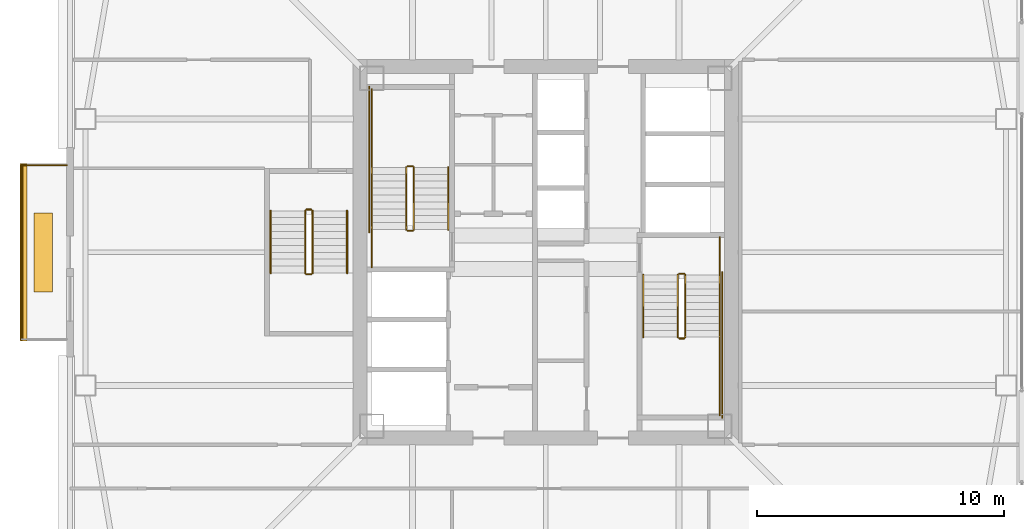
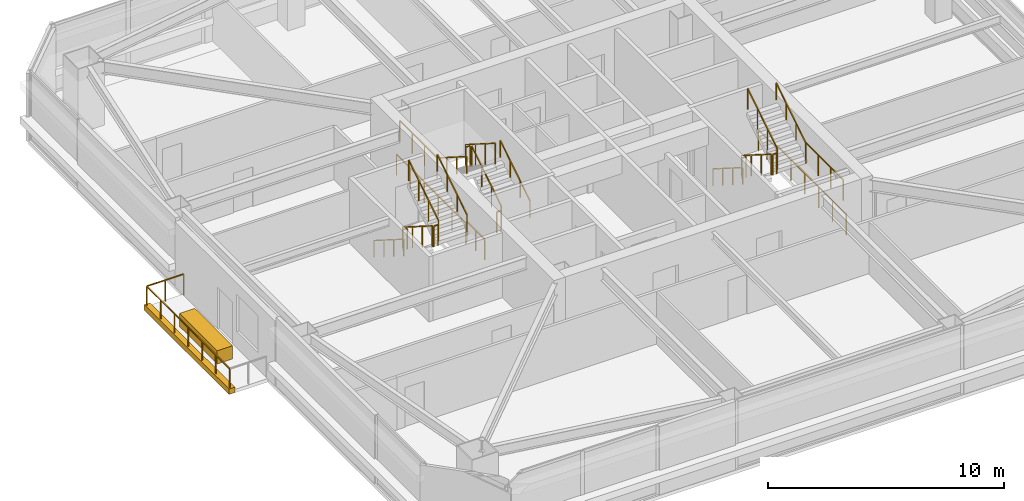
# One storey, part 42 of 46: 26 railings, 2 coverings.
"""IFC4 building model written with IfcOpenShell, lengths in metres."""

from ifc_helpers import new_model, si_unit, direction, frame, origin, origin_2d, place, context, subcontext, project, spatial, rectangle, extrude, material, layer, layer_set, type_object, element, save


model = new_model("IFC4")

# Units and contexts
model_context = context("Model", 3, precision=1e-05, world=origin(), true_north=direction((0.0, 1.0)))
body_context = subcontext(model_context, "Body", "Model", "MODEL_VIEW")
ifc_project = project(units=[si_unit("LENGTHUNIT", "METRE"), si_unit("AREAUNIT", "SQUARE_METRE"), si_unit("VOLUMEUNIT", "CUBIC_METRE"), si_unit("PLANEANGLEUNIT", "RADIAN"), si_unit("MASSUNIT", "GRAM", prefix="KILO")], contexts=[model_context])

# Site, building, storey
site_placement = place(None, origin())
site = spatial("IfcSite", under=ifc_project, at=site_placement, CompositionType="ELEMENT")
building_placement = place(site_placement, origin())
building = spatial("IfcBuilding", under=site, at=building_placement, Name="Tashvorn Skyway Center", CompositionType="ELEMENT")
storey_placement = place(building_placement, frame((0.0, 0.0, 132.14990234375)))
storey = spatial("IfcBuildingStorey", under=building, at=storey_placement, Name="L35", CompositionType="ELEMENT", Elevation=132.14990234375)

# Coverings
ifc_material_1 = material(Name="Precast concrete C40/50", Category="concrete")
ifc_layer = layer(ifc_material_1, 0.35009765625)
ifc_layer_set = layer_set([ifc_layer], Name="Precast concrete C40/50")
covering_type = type_object("IfcCoveringType", Name="COV-STONE-TRIM", PredefinedType="CLADDING", material=ifc_layer_set)
covering_1_placement = place(storey_placement, frame((20.840087890625, 32.0, -0.16015625), z_axis=(0.0, 0.0, 1.0), x_axis=(0.0, 1.0, 0.0)))
element("IfcCovering", 1, at=covering_1_placement, inside=storey, type_object=covering_type, Name="Tower 1 L35 Spiral Terrace Terracotta Fascia", PredefinedType="CLADDING", context=body_context, shape_type="SweptSolid", body=[
    extrude(rectangle(XDim=7.199951171875, YDim=0.280029296875, at=origin_2d()), origin(), (0.0, 0.0, 1.0), 0.280029296875),
])
covering_2_placement = place(storey_placement, frame((21.64990234375, 32.0, 0.0), z_axis=(0.0, 0.0, 1.0), x_axis=(0.0, 1.0, 0.0)))
element("IfcCovering", 2, at=covering_2_placement, inside=storey, type_object=covering_type, Name="Tower 1 L35 Spiral Terrace Planter", PredefinedType="CLADDING", context=body_context, shape_type="SweptSolid", body=[
    extrude(rectangle(XDim=3.199951171875, YDim=0.75, at=origin_2d()), origin(), (0.0, 0.0, 1.0), 0.679931640625),
])

# Railings
ifc_material_2 = material(Name="Galvanized steel S355", Category="steel")
railing_type_1 = type_object("IfcRailingType", Name="RAIL-GUARD-1120", PredefinedType="GUARDRAIL", material=ifc_material_2)
railing_1_placement = place(storey_placement, frame((20.780029296875, 28.47998046875, 0.0)))
element("IfcRailing", 3, at=railing_1_placement, inside=storey, type_object=railing_type_1, Name="L35 Tower 1 Terrace Guardrail 02", PredefinedType="GUARDRAIL", context=body_context, shape_type="SweptSolid", body=[
    extrude(rectangle(XDim=0.048095703125, YDim=0.048095703125, at=origin_2d()), frame((0.0, 0.0, 1.09619140625), z_axis=(0.0, 1.0, 0.0), x_axis=(-1.0, 0.0, 0.0)), (0.0, 0.0, 1.0), 7.0400390625),
    extrude(rectangle(XDim=0.0419921875, YDim=0.0419921875, at=origin_2d()), origin(), (0.0, 0.0, 1.0), 1.072021484375),
    extrude(rectangle(XDim=0.0419921875, YDim=0.0419921875, at=origin_2d()), frame((0.0, 1.17333984375, 0.0)), (0.0, 0.0, 1.0), 1.072021484375),
    extrude(rectangle(XDim=0.0419921875, YDim=0.0419921875, at=origin_2d()), frame((0.0, 2.3466796875, 0.0)), (0.0, 0.0, 1.0), 1.072021484375),
    extrude(rectangle(XDim=0.0419921875, YDim=0.0419921875, at=origin_2d()), frame((0.0, 3.52001953125, 0.0)), (0.0, 0.0, 1.0), 1.072021484375),
    extrude(rectangle(XDim=0.0419921875, YDim=0.0419921875, at=origin_2d()), frame((0.0, 4.693359375, 0.0)), (0.0, 0.0, 1.0), 1.072021484375),
    extrude(rectangle(XDim=0.0419921875, YDim=0.0419921875, at=origin_2d()), frame((0.0, 5.86669921875, 0.0)), (0.0, 0.0, 1.0), 1.072021484375),
    extrude(rectangle(XDim=0.0419921875, YDim=0.0419921875, at=origin_2d()), frame((0.0, 7.0400390625, 0.0)), (0.0, 0.0, 1.0), 1.072021484375),
])
railing_2_placement = place(storey_placement, frame((20.780029296875, 35.52001953125, 0.0)))
element("IfcRailing", 4, at=railing_2_placement, inside=storey, type_object=railing_type_1, Name="L35 Tower 1 Terrace Guardrail 03", PredefinedType="GUARDRAIL", context=body_context, shape_type="SweptSolid", body=[
    extrude(rectangle(XDim=0.048095703125, YDim=0.048095703125, at=origin_2d()), frame((0.0, 0.0, 1.09619140625), z_axis=(1.0, 0.0, 0.0), x_axis=(0.0, 1.0, 0.0)), (0.0, 0.0, 1.0), 1.820068359375),
    extrude(rectangle(XDim=0.0419921875, YDim=0.0419921875, at=origin_2d()), origin(), (0.0, 0.0, 1.0), 1.072021484375),
    extrude(rectangle(XDim=0.0419921875, YDim=0.0419921875, at=origin_2d()), frame((0.91015625, 0.0, 0.0)), (0.0, 0.0, 1.0), 1.072021484375),
    extrude(rectangle(XDim=0.0419921875, YDim=0.0419921875, at=origin_2d()), frame((1.820068359375, 0.0, 0.0)), (0.0, 0.0, 1.0), 1.072021484375),
])
ifc_material_3 = material(Name="Brushed stainless steel 316", Category="steel")
railing_type_2 = type_object("IfcRailingType", Name="RAIL-HAND-920", PredefinedType="HANDRAIL", material=ifc_material_3)
railing_3_placement = place(storey_placement, frame((38.050048828125, 32.919921875, 0.177490234375)))
element("IfcRailing", 5, at=railing_3_placement, inside=storey, type_object=railing_type_2, Name="L35 ST-T1-1 stair handrail 1", PredefinedType="HANDRAIL", context=body_context, shape_type="SweptSolid", body=[
    extrude(rectangle(XDim=0.048095703125, YDim=0.048095703125, at=origin_2d()), frame((0.0, 0.0, 0.8759765625), z_axis=(0.0, 0.84456994832, 0.535445237532), x_axis=(-1.0, 0.0, 0.0)), (0.0, 0.0, 1.0), 2.98388671875),
    extrude(rectangle(XDim=0.0419921875, YDim=0.0419921875, at=origin_2d()), origin(), (0.0, 0.0, 1.0), 0.851806640625),
    extrude(rectangle(XDim=0.0419921875, YDim=0.0419921875, at=origin_2d()), frame((0.0, 0.840087890625, 0.532470703125)), (0.0, 0.0, 1.0), 0.851806640625),
    extrude(rectangle(XDim=0.0419921875, YDim=0.0419921875, at=origin_2d()), frame((0.0, 1.679931640625, 1.065185546875)), (0.0, 0.0, 1.0), 0.851806640625),
    extrude(rectangle(XDim=0.0419921875, YDim=0.0419921875, at=origin_2d()), frame((0.0, 2.52001953125, 1.59765625)), (0.0, 0.0, 1.0), 0.851806640625),
])
railing_4_placement = place(storey_placement, frame((34.949951171875, 35.43994140625, 1.95263671875)))
element("IfcRailing", 6, at=railing_4_placement, inside=storey, type_object=railing_type_2, Name="L35 ST-T1-1 stair handrail 2", PredefinedType="HANDRAIL", context=body_context, shape_type="SweptSolid", body=[
    extrude(rectangle(XDim=0.048095703125, YDim=0.048095703125, at=origin_2d()), frame((0.0, 0.0, 0.8759765625), z_axis=(0.0, -0.84460694969, 0.535386869969), x_axis=(1.0, 0.0, 0.0)), (0.0, 0.0, 1.0), 2.983642578125),
    extrude(rectangle(XDim=0.0419921875, YDim=0.0419921875, at=origin_2d()), origin(), (0.0, 0.0, 1.0), 0.851806640625),
    extrude(rectangle(XDim=0.0419921875, YDim=0.0419921875, at=origin_2d()), frame((0.0, -0.840087890625, 0.532470703125)), (0.0, 0.0, 1.0), 0.851806640625),
    extrude(rectangle(XDim=0.0419921875, YDim=0.0419921875, at=origin_2d()), frame((0.0, -1.679931640625, 1.06494140625)), (0.0, 0.0, 1.0), 0.851806640625),
    extrude(rectangle(XDim=0.0419921875, YDim=0.0419921875, at=origin_2d()), frame((0.0, -2.52001953125, 1.597412109375)), (0.0, 0.0, 1.0), 0.851806640625),
])
railing_5_placement = place(storey_placement, frame((45.949951171875, 31.080078125, 0.177490234375)))
element("IfcRailing", 7, at=railing_5_placement, inside=storey, type_object=railing_type_2, Name="L35 ST-T1-2 stair handrail 1", PredefinedType="HANDRAIL", context=body_context, shape_type="SweptSolid", body=[
    extrude(rectangle(XDim=0.048095703125, YDim=0.048095703125, at=origin_2d()), frame((0.0, 0.0, 0.8759765625), z_axis=(0.0, -0.84456994832, 0.535445237532), x_axis=(1.0, 0.0, 0.0)), (0.0, 0.0, 1.0), 2.98388671875),
    extrude(rectangle(XDim=0.0419921875, YDim=0.0419921875, at=origin_2d()), origin(), (0.0, 0.0, 1.0), 0.851806640625),
    extrude(rectangle(XDim=0.0419921875, YDim=0.0419921875, at=origin_2d()), frame((0.0, -0.840087890625, 0.532470703125)), (0.0, 0.0, 1.0), 0.851806640625),
    extrude(rectangle(XDim=0.0419921875, YDim=0.0419921875, at=origin_2d()), frame((0.0, -1.679931640625, 1.065185546875)), (0.0, 0.0, 1.0), 0.851806640625),
    extrude(rectangle(XDim=0.0419921875, YDim=0.0419921875, at=origin_2d()), frame((0.0, -2.52001953125, 1.59765625)), (0.0, 0.0, 1.0), 0.851806640625),
])
railing_6_placement = place(storey_placement, frame((49.050048828125, 28.56005859375, 1.95263671875)))
element("IfcRailing", 8, at=railing_6_placement, inside=storey, type_object=railing_type_2, Name="L35 ST-T1-2 stair handrail 2", PredefinedType="HANDRAIL", context=body_context, shape_type="SweptSolid", body=[
    extrude(rectangle(XDim=0.048095703125, YDim=0.048095703125, at=origin_2d()), frame((0.0, 0.0, 0.8759765625), z_axis=(0.0, 0.84460694969, 0.535386869969), x_axis=(-1.0, 0.0, 0.0)), (0.0, 0.0, 1.0), 2.983642578125),
    extrude(rectangle(XDim=0.0419921875, YDim=0.0419921875, at=origin_2d()), origin(), (0.0, 0.0, 1.0), 0.851806640625),
    extrude(rectangle(XDim=0.0419921875, YDim=0.0419921875, at=origin_2d()), frame((0.0, 0.840087890625, 0.532470703125)), (0.0, 0.0, 1.0), 0.851806640625),
    extrude(rectangle(XDim=0.0419921875, YDim=0.0419921875, at=origin_2d()), frame((0.0, 1.679931640625, 1.06494140625)), (0.0, 0.0, 1.0), 0.851806640625),
    extrude(rectangle(XDim=0.0419921875, YDim=0.0419921875, at=origin_2d()), frame((0.0, 2.52001953125, 1.597412109375)), (0.0, 0.0, 1.0), 0.851806640625),
])
railing_7_placement = place(storey_placement, frame((30.85009765625, 33.679931640625, 0.177490234375)))
element("IfcRailing", 9, at=railing_7_placement, inside=storey, type_object=railing_type_2, Name="L35 ST-T1-3 stair handrail 1", PredefinedType="HANDRAIL", context=body_context, shape_type="SweptSolid", body=[
    extrude(rectangle(XDim=0.048095703125, YDim=0.048095703125, at=origin_2d()), frame((0.0, 0.0, 0.8759765625), z_axis=(0.0, -0.84456994832, 0.535445237532), x_axis=(1.0, 0.0, 0.0)), (0.0, 0.0, 1.0), 2.98388671875),
    extrude(rectangle(XDim=0.0419921875, YDim=0.0419921875, at=origin_2d()), origin(), (0.0, 0.0, 1.0), 0.851806640625),
    extrude(rectangle(XDim=0.0419921875, YDim=0.0419921875, at=origin_2d()), frame((0.0, -0.840087890625, 0.532470703125)), (0.0, 0.0, 1.0), 0.851806640625),
    extrude(rectangle(XDim=0.0419921875, YDim=0.0419921875, at=origin_2d()), frame((0.0, -1.679931640625, 1.065185546875)), (0.0, 0.0, 1.0), 0.851806640625),
    extrude(rectangle(XDim=0.0419921875, YDim=0.0419921875, at=origin_2d()), frame((0.0, -2.52001953125, 1.59765625)), (0.0, 0.0, 1.0), 0.851806640625),
])
railing_8_placement = place(storey_placement, frame((33.949951171875, 31.159912109375, 1.95263671875)))
element("IfcRailing", 10, at=railing_8_placement, inside=storey, type_object=railing_type_2, Name="L35 ST-T1-3 stair handrail 2", PredefinedType="HANDRAIL", context=body_context, shape_type="SweptSolid", body=[
    extrude(rectangle(XDim=0.048095703125, YDim=0.048095703125, at=origin_2d()), frame((0.0, 0.0, 0.8759765625), z_axis=(0.0, 0.84460694969, 0.535386869969), x_axis=(-1.0, 0.0, 0.0)), (0.0, 0.0, 1.0), 2.983642578125),
    extrude(rectangle(XDim=0.0419921875, YDim=0.0419921875, at=origin_2d()), origin(), (0.0, 0.0, 1.0), 0.851806640625),
    extrude(rectangle(XDim=0.0419921875, YDim=0.0419921875, at=origin_2d()), frame((0.0, 0.840087890625, 0.532470703125)), (0.0, 0.0, 1.0), 0.851806640625),
    extrude(rectangle(XDim=0.0419921875, YDim=0.0419921875, at=origin_2d()), frame((0.0, 1.679931640625, 1.06494140625)), (0.0, 0.0, 1.0), 0.851806640625),
    extrude(rectangle(XDim=0.0419921875, YDim=0.0419921875, at=origin_2d()), frame((0.0, 2.52001953125, 1.597412109375)), (0.0, 0.0, 1.0), 0.851806640625),
])
ifc_material_4 = material(Name="Painted galvanized steel S355", Category="steel")
railing_type_3 = type_object("IfcRailingType", Name="RAIL-STGUARD-1100", PredefinedType="GUARDRAIL", material=ifc_material_4)
railing_9_placement = place(storey_placement, frame((36.64990234375, 32.919921875, 0.177490234375)))
element("IfcRailing", 11, at=railing_9_placement, inside=storey, type_object=railing_type_3, Name="L35 ST-T1-1 stair guard 1", PredefinedType="GUARDRAIL", context=body_context, shape_type="SweptSolid", body=[
    extrude(rectangle(XDim=0.048095703125, YDim=0.048095703125, at=origin_2d()), frame((0.0, 0.0, 1.076171875), z_axis=(0.0, 0.84456994832, 0.535445237532), x_axis=(-1.0, 0.0, 0.0)), (0.0, 0.0, 1.0), 2.98388671875),
    extrude(rectangle(XDim=0.0419921875, YDim=0.0419921875, at=origin_2d()), origin(), (0.0, 0.0, 1.0), 1.052001953125),
    extrude(rectangle(XDim=0.0419921875, YDim=0.0419921875, at=origin_2d()), frame((0.0, 0.840087890625, 0.532470703125)), (0.0, 0.0, 1.0), 1.052001953125),
    extrude(rectangle(XDim=0.0419921875, YDim=0.0419921875, at=origin_2d()), frame((0.0, 1.679931640625, 1.065185546875)), (0.0, 0.0, 1.0), 1.052001953125),
    extrude(rectangle(XDim=0.0419921875, YDim=0.0419921875, at=origin_2d()), frame((0.0, 2.52001953125, 1.59765625)), (0.0, 0.0, 1.0), 1.052001953125),
])
railing_10_placement = place(storey_placement, frame((36.60009765625, 35.489990234375, 1.775146484375)))
element("IfcRailing", 12, at=railing_10_placement, inside=storey, type_object=railing_type_3, Name="L35 ST-T1-1 stair guard 2", PredefinedType="GUARDRAIL", context=body_context, shape_type="SweptSolid", body=[
    extrude(rectangle(XDim=0.048095703125, YDim=0.048095703125, at=origin_2d()), frame((0.0, 0.0, 1.076171875), z_axis=(-1.0, 0.0, 0.0), x_axis=(0.0, -1.0, 0.0)), (0.0, 0.0, 1.0), 0.2001953125),
    extrude(rectangle(XDim=0.0419921875, YDim=0.0419921875, at=origin_2d()), origin(), (0.0, 0.0, 1.0), 1.052001953125),
    extrude(rectangle(XDim=0.0419921875, YDim=0.0419921875, at=origin_2d()), frame((-0.2001953125, 0.0, 0.0)), (0.0, 0.0, 1.0), 1.052001953125),
])
railing_11_placement = place(storey_placement, frame((34.949951171875, 35.43994140625, 1.775146484375)))
element("IfcRailing", 13, at=railing_11_placement, inside=storey, type_object=railing_type_3, Name="L35 ST-T1-1 stair guard 3", PredefinedType="GUARDRAIL", context=body_context, shape_type="SweptSolid", body=[
    extrude(rectangle(XDim=0.048095703125, YDim=0.048095703125, at=origin_2d()), frame((0.0, 0.0, 1.076171875), z_axis=(0.0, 1.0, 0.0), x_axis=(-1.0, 0.0, 0.0)), (0.0, 0.0, 1.0), 3.16015625),
    extrude(rectangle(XDim=0.0419921875, YDim=0.0419921875, at=origin_2d()), origin(), (0.0, 0.0, 1.0), 1.052001953125),
    extrude(rectangle(XDim=0.0419921875, YDim=0.0419921875, at=origin_2d()), frame((0.0, 1.053466796875, 0.0)), (0.0, 0.0, 1.0), 1.052001953125),
    extrude(rectangle(XDim=0.0419921875, YDim=0.0419921875, at=origin_2d()), frame((0.0, 2.106689453125, 0.0)), (0.0, 0.0, 1.0), 1.052001953125),
    extrude(rectangle(XDim=0.0419921875, YDim=0.0419921875, at=origin_2d()), frame((0.0, 3.16015625, 0.0)), (0.0, 0.0, 1.0), 1.052001953125),
])
railing_12_placement = place(storey_placement, frame((36.35009765625, 35.43994140625, 1.95263671875)))
element("IfcRailing", 14, at=railing_12_placement, inside=storey, type_object=railing_type_3, Name="L35 ST-T1-1 stair guard 4", PredefinedType="GUARDRAIL", context=body_context, shape_type="SweptSolid", body=[
    extrude(rectangle(XDim=0.048095703125, YDim=0.048095703125, at=origin_2d()), frame((0.0, 0.0, 1.076171875), z_axis=(0.0, -0.84460694969, 0.535386869969), x_axis=(1.0, 0.0, 0.0)), (0.0, 0.0, 1.0), 2.983642578125),
    extrude(rectangle(XDim=0.0419921875, YDim=0.0419921875, at=origin_2d()), origin(), (0.0, 0.0, 1.0), 1.052001953125),
    extrude(rectangle(XDim=0.0419921875, YDim=0.0419921875, at=origin_2d()), frame((0.0, -0.840087890625, 0.532470703125)), (0.0, 0.0, 1.0), 1.052001953125),
    extrude(rectangle(XDim=0.0419921875, YDim=0.0419921875, at=origin_2d()), frame((0.0, -1.679931640625, 1.06494140625)), (0.0, 0.0, 1.0), 1.052001953125),
    extrude(rectangle(XDim=0.0419921875, YDim=0.0419921875, at=origin_2d()), frame((0.0, -2.52001953125, 1.597412109375)), (0.0, 0.0, 1.0), 1.052001953125),
])
railing_13_placement = place(storey_placement, frame((36.60009765625, 32.8701171875, 0.0)))
element("IfcRailing", 15, at=railing_13_placement, inside=storey, type_object=railing_type_3, Name="L35 ST-T1-1 stair guard 5", PredefinedType="GUARDRAIL", context=body_context, shape_type="SweptSolid", body=[
    extrude(rectangle(XDim=0.048095703125, YDim=0.048095703125, at=origin_2d()), frame((0.0, 0.0, 1.076171875), z_axis=(-1.0, 0.0, 0.0), x_axis=(0.0, -1.0, 0.0)), (0.0, 0.0, 1.0), 0.2001953125),
    extrude(rectangle(XDim=0.0419921875, YDim=0.0419921875, at=origin_2d()), origin(), (0.0, 0.0, 1.0), 1.052001953125),
    extrude(rectangle(XDim=0.0419921875, YDim=0.0419921875, at=origin_2d()), frame((-0.2001953125, 0.0, 0.0)), (0.0, 0.0, 1.0), 1.052001953125),
])
railing_14_placement = place(storey_placement, frame((34.949951171875, 31.39990234375, 0.0)))
element("IfcRailing", 16, at=railing_14_placement, inside=storey, type_object=railing_type_3, Name="L35 ST-T1-1 stair guard 6", PredefinedType="GUARDRAIL", context=body_context, shape_type="SweptSolid", body=[
    extrude(rectangle(XDim=0.048095703125, YDim=0.048095703125, at=origin_2d()), frame((0.0, 0.0, 1.076171875), z_axis=(0.0, 1.0, 0.0), x_axis=(-1.0, 0.0, 0.0)), (0.0, 0.0, 1.0), 1.52001953125),
    extrude(rectangle(XDim=0.0419921875, YDim=0.0419921875, at=origin_2d()), origin(), (0.0, 0.0, 1.0), 1.052001953125),
    extrude(rectangle(XDim=0.0419921875, YDim=0.0419921875, at=origin_2d()), frame((0.0, 0.760009765625, 0.0)), (0.0, 0.0, 1.0), 1.052001953125),
    extrude(rectangle(XDim=0.0419921875, YDim=0.0419921875, at=origin_2d()), frame((0.0, 1.52001953125, 0.0)), (0.0, 0.0, 1.0), 1.052001953125),
])
railing_15_placement = place(storey_placement, frame((34.85009765625, 32.820068359375, 0.0)))
element("IfcRailing", 17, at=railing_15_placement, inside=storey, type_object=railing_type_3, Name="L35 ST-T1-1 stair guard 7", PredefinedType="GUARDRAIL", context=body_context, shape_type="SweptSolid", body=[
    extrude(rectangle(XDim=0.048095703125, YDim=0.048095703125, at=origin_2d()), frame((0.0, 0.0, 1.076171875), z_axis=(0.0, 1.0, 0.0), x_axis=(-1.0, 0.0, 0.0)), (0.0, 0.0, 1.0), 5.8798828125),
    extrude(rectangle(XDim=0.0419921875, YDim=0.0419921875, at=origin_2d()), origin(), (0.0, 0.0, 1.0), 1.052001953125),
    extrude(rectangle(XDim=0.0419921875, YDim=0.0419921875, at=origin_2d()), frame((0.0, 1.176025390625, 0.0)), (0.0, 0.0, 1.0), 1.052001953125),
    extrude(rectangle(XDim=0.0419921875, YDim=0.0419921875, at=origin_2d()), frame((0.0, 2.35205078125, 0.0)), (0.0, 0.0, 1.0), 1.052001953125),
    extrude(rectangle(XDim=0.0419921875, YDim=0.0419921875, at=origin_2d()), frame((0.0, 3.52783203125, 0.0)), (0.0, 0.0, 1.0), 1.052001953125),
    extrude(rectangle(XDim=0.0419921875, YDim=0.0419921875, at=origin_2d()), frame((0.0, 4.703857421875, 0.0)), (0.0, 0.0, 1.0), 1.052001953125),
    extrude(rectangle(XDim=0.0419921875, YDim=0.0419921875, at=origin_2d()), frame((0.0, 5.8798828125, 0.0)), (0.0, 0.0, 1.0), 1.052001953125),
])
railing_16_placement = place(storey_placement, frame((47.35009765625, 31.080078125, 0.177490234375)))
element("IfcRailing", 18, at=railing_16_placement, inside=storey, type_object=railing_type_3, Name="L35 ST-T1-2 stair guard 1", PredefinedType="GUARDRAIL", context=body_context, shape_type="SweptSolid", body=[
    extrude(rectangle(XDim=0.048095703125, YDim=0.048095703125, at=origin_2d()), frame((0.0, 0.0, 1.076171875), z_axis=(0.0, -0.84456994832, 0.535445237532), x_axis=(1.0, 0.0, 0.0)), (0.0, 0.0, 1.0), 2.98388671875),
    extrude(rectangle(XDim=0.0419921875, YDim=0.0419921875, at=origin_2d()), origin(), (0.0, 0.0, 1.0), 1.052001953125),
    extrude(rectangle(XDim=0.0419921875, YDim=0.0419921875, at=origin_2d()), frame((0.0, -0.840087890625, 0.532470703125)), (0.0, 0.0, 1.0), 1.052001953125),
    extrude(rectangle(XDim=0.0419921875, YDim=0.0419921875, at=origin_2d()), frame((0.0, -1.679931640625, 1.065185546875)), (0.0, 0.0, 1.0), 1.052001953125),
    extrude(rectangle(XDim=0.0419921875, YDim=0.0419921875, at=origin_2d()), frame((0.0, -2.52001953125, 1.59765625)), (0.0, 0.0, 1.0), 1.052001953125),
])
railing_17_placement = place(storey_placement, frame((47.39990234375, 28.510009765625, 1.775146484375)))
element("IfcRailing", 19, at=railing_17_placement, inside=storey, type_object=railing_type_3, Name="L35 ST-T1-2 stair guard 2", PredefinedType="GUARDRAIL", context=body_context, shape_type="SweptSolid", body=[
    extrude(rectangle(XDim=0.048095703125, YDim=0.048095703125, at=origin_2d()), frame((0.0, 0.0, 1.076171875), z_axis=(1.0, 0.0, 0.0), x_axis=(0.0, 1.0, 0.0)), (0.0, 0.0, 1.0), 0.2001953125),
    extrude(rectangle(XDim=0.0419921875, YDim=0.0419921875, at=origin_2d()), origin(), (0.0, 0.0, 1.0), 1.052001953125),
    extrude(rectangle(XDim=0.0419921875, YDim=0.0419921875, at=origin_2d()), frame((0.2001953125, 0.0, 0.0)), (0.0, 0.0, 1.0), 1.052001953125),
])
railing_18_placement = place(storey_placement, frame((49.050048828125, 28.56005859375, 1.775146484375)))
element("IfcRailing", 20, at=railing_18_placement, inside=storey, type_object=railing_type_3, Name="L35 ST-T1-2 stair guard 3", PredefinedType="GUARDRAIL", context=body_context, shape_type="SweptSolid", body=[
    extrude(rectangle(XDim=0.048095703125, YDim=0.048095703125, at=origin_2d()), frame((0.0, 0.0, 1.076171875), z_axis=(0.0, -1.0, 0.0), x_axis=(1.0, 0.0, 0.0)), (0.0, 0.0, 1.0), 3.16015625),
    extrude(rectangle(XDim=0.0419921875, YDim=0.0419921875, at=origin_2d()), origin(), (0.0, 0.0, 1.0), 1.052001953125),
    extrude(rectangle(XDim=0.0419921875, YDim=0.0419921875, at=origin_2d()), frame((0.0, -1.053466796875, 0.0)), (0.0, 0.0, 1.0), 1.052001953125),
    extrude(rectangle(XDim=0.0419921875, YDim=0.0419921875, at=origin_2d()), frame((0.0, -2.106689453125, 0.0)), (0.0, 0.0, 1.0), 1.052001953125),
    extrude(rectangle(XDim=0.0419921875, YDim=0.0419921875, at=origin_2d()), frame((0.0, -3.16015625, 0.0)), (0.0, 0.0, 1.0), 1.052001953125),
])
railing_19_placement = place(storey_placement, frame((47.64990234375, 28.56005859375, 1.95263671875)))
element("IfcRailing", 21, at=railing_19_placement, inside=storey, type_object=railing_type_3, Name="L35 ST-T1-2 stair guard 4", PredefinedType="GUARDRAIL", context=body_context, shape_type="SweptSolid", body=[
    extrude(rectangle(XDim=0.048095703125, YDim=0.048095703125, at=origin_2d()), frame((0.0, 0.0, 1.076171875), z_axis=(0.0, 0.84460694969, 0.535386869969), x_axis=(-1.0, 0.0, 0.0)), (0.0, 0.0, 1.0), 2.983642578125),
    extrude(rectangle(XDim=0.0419921875, YDim=0.0419921875, at=origin_2d()), origin(), (0.0, 0.0, 1.0), 1.052001953125),
    extrude(rectangle(XDim=0.0419921875, YDim=0.0419921875, at=origin_2d()), frame((0.0, 0.840087890625, 0.532470703125)), (0.0, 0.0, 1.0), 1.052001953125),
    extrude(rectangle(XDim=0.0419921875, YDim=0.0419921875, at=origin_2d()), frame((0.0, 1.679931640625, 1.06494140625)), (0.0, 0.0, 1.0), 1.052001953125),
    extrude(rectangle(XDim=0.0419921875, YDim=0.0419921875, at=origin_2d()), frame((0.0, 2.52001953125, 1.597412109375)), (0.0, 0.0, 1.0), 1.052001953125),
])
railing_20_placement = place(storey_placement, frame((47.39990234375, 31.1298828125, 0.0)))
element("IfcRailing", 22, at=railing_20_placement, inside=storey, type_object=railing_type_3, Name="L35 ST-T1-2 stair guard 5", PredefinedType="GUARDRAIL", context=body_context, shape_type="SweptSolid", body=[
    extrude(rectangle(XDim=0.048095703125, YDim=0.048095703125, at=origin_2d()), frame((0.0, 0.0, 1.076171875), z_axis=(1.0, 0.0, 0.0), x_axis=(0.0, 1.0, 0.0)), (0.0, 0.0, 1.0), 0.2001953125),
    extrude(rectangle(XDim=0.0419921875, YDim=0.0419921875, at=origin_2d()), origin(), (0.0, 0.0, 1.0), 1.052001953125),
    extrude(rectangle(XDim=0.0419921875, YDim=0.0419921875, at=origin_2d()), frame((0.2001953125, 0.0, 0.0)), (0.0, 0.0, 1.0), 1.052001953125),
])
railing_21_placement = place(storey_placement, frame((49.050048828125, 32.60009765625, 0.0)))
element("IfcRailing", 23, at=railing_21_placement, inside=storey, type_object=railing_type_3, Name="L35 ST-T1-2 stair guard 6", PredefinedType="GUARDRAIL", context=body_context, shape_type="SweptSolid", body=[
    extrude(rectangle(XDim=0.048095703125, YDim=0.048095703125, at=origin_2d()), frame((0.0, 0.0, 1.076171875), z_axis=(0.0, -1.0, 0.0), x_axis=(1.0, 0.0, 0.0)), (0.0, 0.0, 1.0), 1.52001953125),
    extrude(rectangle(XDim=0.0419921875, YDim=0.0419921875, at=origin_2d()), origin(), (0.0, 0.0, 1.0), 1.052001953125),
    extrude(rectangle(XDim=0.0419921875, YDim=0.0419921875, at=origin_2d()), frame((0.0, -0.760009765625, 0.0)), (0.0, 0.0, 1.0), 1.052001953125),
    extrude(rectangle(XDim=0.0419921875, YDim=0.0419921875, at=origin_2d()), frame((0.0, -1.52001953125, 0.0)), (0.0, 0.0, 1.0), 1.052001953125),
])
railing_22_placement = place(storey_placement, frame((49.14990234375, 31.179931640625, 0.0)))
element("IfcRailing", 24, at=railing_22_placement, inside=storey, type_object=railing_type_3, Name="L35 ST-T1-2 stair guard 7", PredefinedType="GUARDRAIL", context=body_context, shape_type="SweptSolid", body=[
    extrude(rectangle(XDim=0.048095703125, YDim=0.048095703125, at=origin_2d()), frame((0.0, 0.0, 1.076171875), z_axis=(0.0, -1.0, 0.0), x_axis=(1.0, 0.0, 0.0)), (0.0, 0.0, 1.0), 5.8798828125),
    extrude(rectangle(XDim=0.0419921875, YDim=0.0419921875, at=origin_2d()), origin(), (0.0, 0.0, 1.0), 1.052001953125),
    extrude(rectangle(XDim=0.0419921875, YDim=0.0419921875, at=origin_2d()), frame((0.0, -1.176025390625, 0.0)), (0.0, 0.0, 1.0), 1.052001953125),
    extrude(rectangle(XDim=0.0419921875, YDim=0.0419921875, at=origin_2d()), frame((0.0, -2.35205078125, 0.0)), (0.0, 0.0, 1.0), 1.052001953125),
    extrude(rectangle(XDim=0.0419921875, YDim=0.0419921875, at=origin_2d()), frame((0.0, -3.52783203125, 0.0)), (0.0, 0.0, 1.0), 1.052001953125),
    extrude(rectangle(XDim=0.0419921875, YDim=0.0419921875, at=origin_2d()), frame((0.0, -4.703857421875, 0.0)), (0.0, 0.0, 1.0), 1.052001953125),
    extrude(rectangle(XDim=0.0419921875, YDim=0.0419921875, at=origin_2d()), frame((0.0, -5.8798828125, 0.0)), (0.0, 0.0, 1.0), 1.052001953125),
])
railing_23_placement = place(storey_placement, frame((32.25, 33.679931640625, 0.177490234375)))
element("IfcRailing", 25, at=railing_23_placement, inside=storey, type_object=railing_type_3, Name="L35 ST-T1-3 stair guard 1", PredefinedType="GUARDRAIL", context=body_context, shape_type="SweptSolid", body=[
    extrude(rectangle(XDim=0.048095703125, YDim=0.048095703125, at=origin_2d()), frame((0.0, 0.0, 1.076171875), z_axis=(0.0, -0.84456994832, 0.535445237532), x_axis=(1.0, 0.0, 0.0)), (0.0, 0.0, 1.0), 2.98388671875),
    extrude(rectangle(XDim=0.0419921875, YDim=0.0419921875, at=origin_2d()), origin(), (0.0, 0.0, 1.0), 1.052001953125),
    extrude(rectangle(XDim=0.0419921875, YDim=0.0419921875, at=origin_2d()), frame((0.0, -0.840087890625, 0.532470703125)), (0.0, 0.0, 1.0), 1.052001953125),
    extrude(rectangle(XDim=0.0419921875, YDim=0.0419921875, at=origin_2d()), frame((0.0, -1.679931640625, 1.065185546875)), (0.0, 0.0, 1.0), 1.052001953125),
    extrude(rectangle(XDim=0.0419921875, YDim=0.0419921875, at=origin_2d()), frame((0.0, -2.52001953125, 1.59765625)), (0.0, 0.0, 1.0), 1.052001953125),
])
railing_24_placement = place(storey_placement, frame((32.300048828125, 31.110107421875, 1.775146484375)))
element("IfcRailing", 26, at=railing_24_placement, inside=storey, type_object=railing_type_3, Name="L35 ST-T1-3 stair guard 2", PredefinedType="GUARDRAIL", context=body_context, shape_type="SweptSolid", body=[
    extrude(rectangle(XDim=0.048095703125, YDim=0.048095703125, at=origin_2d()), frame((0.0, 0.0, 1.076171875), z_axis=(1.0, 0.0, 0.0), x_axis=(0.0, 1.0, 0.0)), (0.0, 0.0, 1.0), 0.199951171875),
    extrude(rectangle(XDim=0.0419921875, YDim=0.0419921875, at=origin_2d()), origin(), (0.0, 0.0, 1.0), 1.052001953125),
    extrude(rectangle(XDim=0.0419921875, YDim=0.0419921875, at=origin_2d()), frame((0.199951171875, 0.0, 0.0)), (0.0, 0.0, 1.0), 1.052001953125),
])
railing_25_placement = place(storey_placement, frame((32.550048828125, 31.159912109375, 1.95263671875)))
element("IfcRailing", 27, at=railing_25_placement, inside=storey, type_object=railing_type_3, Name="L35 ST-T1-3 stair guard 3", PredefinedType="GUARDRAIL", context=body_context, shape_type="SweptSolid", body=[
    extrude(rectangle(XDim=0.048095703125, YDim=0.048095703125, at=origin_2d()), frame((0.0, 0.0, 1.076171875), z_axis=(0.0, 0.84460694969, 0.535386869969), x_axis=(-1.0, 0.0, 0.0)), (0.0, 0.0, 1.0), 2.983642578125),
    extrude(rectangle(XDim=0.0419921875, YDim=0.0419921875, at=origin_2d()), origin(), (0.0, 0.0, 1.0), 1.052001953125),
    extrude(rectangle(XDim=0.0419921875, YDim=0.0419921875, at=origin_2d()), frame((0.0, 0.840087890625, 0.532470703125)), (0.0, 0.0, 1.0), 1.052001953125),
    extrude(rectangle(XDim=0.0419921875, YDim=0.0419921875, at=origin_2d()), frame((0.0, 1.679931640625, 1.06494140625)), (0.0, 0.0, 1.0), 1.052001953125),
    extrude(rectangle(XDim=0.0419921875, YDim=0.0419921875, at=origin_2d()), frame((0.0, 2.52001953125, 1.597412109375)), (0.0, 0.0, 1.0), 1.052001953125),
])
railing_26_placement = place(storey_placement, frame((32.300048828125, 33.72998046875, 0.0)))
element("IfcRailing", 28, at=railing_26_placement, inside=storey, type_object=railing_type_3, Name="L35 ST-T1-3 stair guard 4", PredefinedType="GUARDRAIL", context=body_context, shape_type="SweptSolid", body=[
    extrude(rectangle(XDim=0.048095703125, YDim=0.048095703125, at=origin_2d()), frame((0.0, 0.0, 1.076171875), z_axis=(1.0, 0.0, 0.0), x_axis=(0.0, 1.0, 0.0)), (0.0, 0.0, 1.0), 0.199951171875),
    extrude(rectangle(XDim=0.0419921875, YDim=0.0419921875, at=origin_2d()), origin(), (0.0, 0.0, 1.0), 1.052001953125),
    extrude(rectangle(XDim=0.0419921875, YDim=0.0419921875, at=origin_2d()), frame((0.199951171875, 0.0, 0.0)), (0.0, 0.0, 1.0), 1.052001953125),
])

save(model, "model.ifc")
